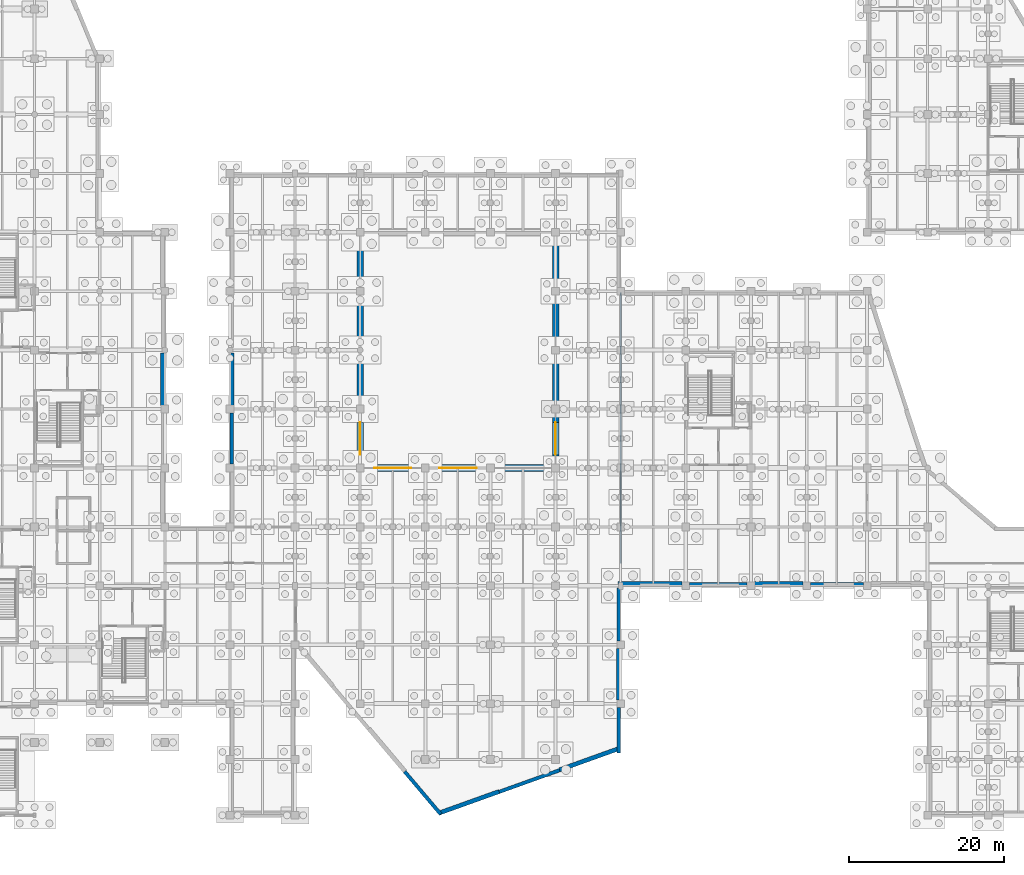
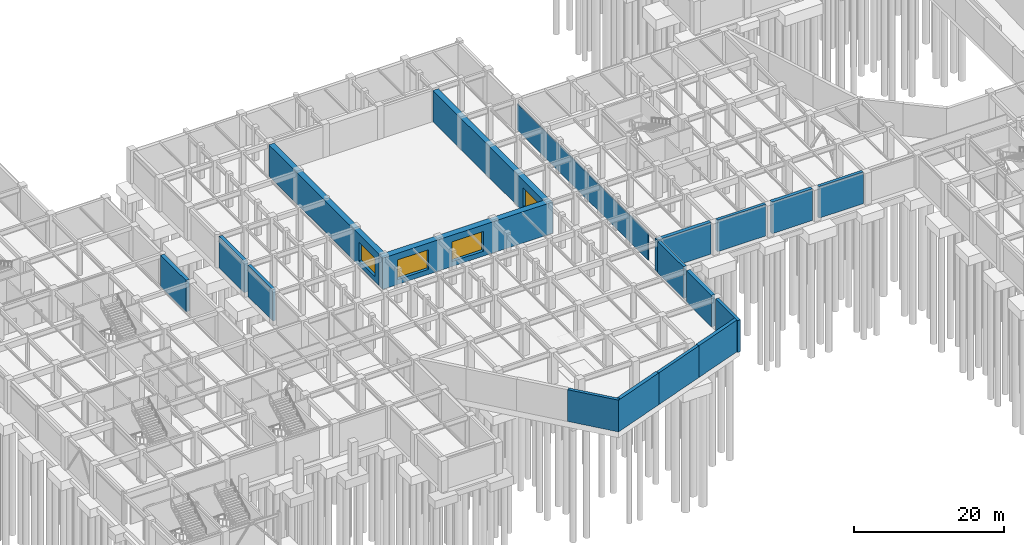
# One storey, part 41 of 52: 18 walls, 4 windows, 4 openings.
"""IFC4 building model written with IfcOpenShell, lengths in metres."""

from ifc_helpers import new_model, si_unit, direction, frame, frame_2d, origin, place, context, subcontext, project, spatial, rectangle, extrude, material, layer, layer_set, type_object, element, fill, save


model = new_model("IFC4")

# Units and contexts
model_context = context("Model", 3, precision=1e-05, world=origin(), true_north=direction((0.0, 1.0)))
body_context = subcontext(model_context, "Body", "Model", "MODEL_VIEW")
ifc_project = project(units=[si_unit("LENGTHUNIT", "METRE"), si_unit("AREAUNIT", "SQUARE_METRE"), si_unit("VOLUMEUNIT", "CUBIC_METRE"), si_unit("PLANEANGLEUNIT", "RADIAN"), si_unit("MASSUNIT", "GRAM", prefix="KILO")], contexts=[model_context])

# Site, building, storey
site_placement = place(None, origin())
site = spatial("IfcSite", under=ifc_project, at=site_placement, CompositionType="ELEMENT")
building_placement = place(site_placement, origin())
building = spatial("IfcBuilding", under=site, at=building_placement, Name="Xicomal Pleat Aquarium", CompositionType="ELEMENT")
storey_placement = place(building_placement, frame((0.0, 0.0, -5.39990234375)))
storey = spatial("IfcBuildingStorey", under=building, at=storey_placement, Name="B1", CompositionType="ELEMENT", Elevation=-5.39990234375)

# Walls
ifc_material_1 = material(Name="Water-resistant cement-board wet-lab partition", Category="gypsum")
ifc_layer_1 = layer(ifc_material_1, 0.14990234375)
ifc_layer_set_1 = layer_set([ifc_layer_1], Name="Water-resistant cement-board wet-lab partition")
wall_type_1 = type_object("IfcWallType", Name="WAL-PRT-150", PredefinedType="PARTITIONING", material=ifc_layer_set_1)
wall_1_placement = place(storey_placement, frame((94.199951171875, 68.199951171875, 0.0), z_axis=(0.0, 0.0, 1.0), x_axis=(0.0, -1.0, 0.0)))
element("IfcWall", 1, at=wall_1_placement, inside=storey, type_object=wall_type_1, Name="B1 interior partition PT-B1-011", PredefinedType="PARTITIONING", context=body_context, shape_type="SweptSolid", body=[
    extrude(rectangle(XDim=34.8798828125, YDim=0.14990234375, at=frame_2d((17.43994140625, 0.0))), origin(), (0.0, 0.0, 1.0), 4.2998046875),
])
ifc_material_2 = material(Name="Waterproof concrete C40/50", Category="concrete")
ifc_layer_2 = layer(ifc_material_2, 0.4599609375)
ifc_layer_set_2 = layer_set([ifc_layer_2], Name="Waterproof concrete C40/50")
wall_type_2 = type_object("IfcWallType", Name="WAL-RET-460", PredefinedType="USERDEFINED", material=ifc_layer_set_2)
wall_2_placement = place(storey_placement, frame((125.514892578125, 30.6298828125, 0.0), z_axis=(0.0, 0.0, 1.0), x_axis=(-1.0, 0.0, 0.0)))
element("IfcWall", 2, at=wall_2_placement, inside=storey, type_object=wall_type_2, Name="Basement waterproof retaining wall RW-B1-047", ObjectType="RETAINING WALL", PredefinedType="USERDEFINED", context=body_context, shape_type="SweptSolid", body=[
    extrude(rectangle(XDim=6.829833984375, YDim=0.4599609375, at=frame_2d((3.4150390625, 0.0))), origin(), (0.0, 0.0, 1.0), 5.139892578125),
])
wall_3_placement = place(storey_placement, frame((110.514892578125, 30.6298828125, 0.0), z_axis=(0.0, 0.0, 1.0), x_axis=(-1.0, 0.0, 0.0)))
element("IfcWall", 3, at=wall_3_placement, inside=storey, type_object=wall_type_2, Name="Basement waterproof retaining wall RW-B1-049", ObjectType="RETAINING WALL", PredefinedType="USERDEFINED", context=body_context, shape_type="SweptSolid", body=[
    extrude(rectangle(XDim=7.429931640625, YDim=0.4599609375, at=frame_2d((3.71484375, 0.0))), origin(), (0.0, 0.0, 1.0), 5.139892578125),
])
wall_4_placement = place(storey_placement, frame((93.969970703125, 30.114990234375, 0.0), z_axis=(0.0, 0.0, 1.0), x_axis=(0.0, -1.0, 0.0)))
element("IfcWall", 4, at=wall_4_placement, inside=storey, type_object=wall_type_2, Name="Basement waterproof retaining wall RW-B1-051", ObjectType="RETAINING WALL", PredefinedType="USERDEFINED", context=body_context, shape_type="SweptSolid", body=[
    extrude(rectangle(XDim=6.830078125, YDim=0.4599609375, at=frame_2d((3.4150390625, 0.0))), origin(), (0.0, 0.0, 1.0), 5.159912109375),
])
wall_5_placement = place(storey_placement, frame((93.969970703125, 14.715087890625, 0.0), z_axis=(0.0, 0.0, 1.0), x_axis=(0.0, -1.0, 0.0)))
element("IfcWall", 5, at=wall_5_placement, inside=storey, type_object=wall_type_2, Name="Basement waterproof retaining wall RW-B1-053", ObjectType="RETAINING WALL", PredefinedType="USERDEFINED", context=body_context, shape_type="SweptSolid", body=[
    extrude(rectangle(XDim=5.875, YDim=0.4599609375, at=frame_2d((2.9375, 0.0))), origin(), (0.0, 0.0, 1.0), 5.159912109375),
])
wall_6_placement = place(storey_placement, frame((86.322021484375, 6.615966796875, 0.0), z_axis=(0.0, 0.0, 1.0), x_axis=(-0.941193469738, -0.337868099297, 0.0)))
element("IfcWall", 6, at=wall_6_placement, inside=storey, type_object=wall_type_2, Name="Basement waterproof retaining wall RW-B1-055", ObjectType="RETAINING WALL", PredefinedType="USERDEFINED", context=body_context, shape_type="SweptSolid", body=[
    extrude(rectangle(XDim=8.287353515625, YDim=0.4599609375, at=frame_2d((4.1435546875, 0.0))), origin(), (0.0, 0.0, 1.0), 5.159912109375),
])
wall_7_placement = place(storey_placement, frame((70.97607421875, 0.947998046875, 0.0), z_axis=(0.0, 0.0, 1.0), x_axis=(-0.645642843129, 0.76363952171, 0.0)))
element("IfcWall", 7, at=wall_7_placement, inside=storey, type_object=wall_type_2, Name="Basement waterproof retaining wall RW-B1-057", ObjectType="RETAINING WALL", PredefinedType="USERDEFINED", context=body_context, shape_type="SweptSolid", body=[
    extrude(rectangle(XDim=7.202392578125, YDim=0.4599609375, at=frame_2d((3.60107421875, 0.0))), origin(), (0.0, 0.0, 1.0), 5.159912109375),
])
wall_8_placement = place(storey_placement, frame((44.030029296875, 46.0849609375, 0.0), z_axis=(0.0, 0.0, 1.0), x_axis=(0.0, 1.0, 0.0)))
element("IfcWall", 8, at=wall_8_placement, inside=storey, type_object=wall_type_2, Name="Basement waterproof retaining wall RW-B1-105", ObjectType="RETAINING WALL", PredefinedType="USERDEFINED", context=body_context, shape_type="SweptSolid", body=[
    extrude(rectangle(XDim=6.630126953125, YDim=0.4599609375, at=frame_2d((3.31494140625, 0.0))), origin(), (0.0, 0.0, 1.0), 5.074951171875),
])
ifc_material_3 = material(Name="Waterproof concrete C40/50", Category="concrete")
ifc_layer_3 = layer(ifc_material_3, 0.550048828125)
ifc_layer_set_3 = layer_set([ifc_layer_3], Name="Waterproof concrete C40/50")
wall_type_3 = type_object("IfcWallType", Name="WAL-RET-550", PredefinedType="USERDEFINED", material=ifc_layer_set_3)
wall_9_placement = place(storey_placement, frame((117.715087890625, 30.675048828125, 0.0), z_axis=(0.0, 0.0, 1.0), x_axis=(-1.0, 0.0, 0.0)))
element("IfcWall", 9, at=wall_9_placement, inside=storey, type_object=wall_type_3, Name="Basement waterproof retaining wall RW-B1-048", ObjectType="RETAINING WALL", PredefinedType="USERDEFINED", context=body_context, shape_type="SweptSolid", body=[
    extrude(rectangle(XDim=6.22998046875, YDim=0.550048828125, at=frame_2d((3.114990234375, 0.0))), origin(), (0.0, 0.0, 1.0), 5.139892578125),
])
wall_10_placement = place(storey_placement, frame((102.114990234375, 30.675048828125, 0.0), z_axis=(0.0, 0.0, 1.0), x_axis=(-1.0, 0.0, 0.0)))
element("IfcWall", 10, at=wall_10_placement, inside=storey, type_object=wall_type_3, Name="Basement waterproof retaining wall RW-B1-050", ObjectType="RETAINING WALL", PredefinedType="USERDEFINED", context=body_context, shape_type="SweptSolid", body=[
    extrude(rectangle(XDim=8.27490234375, YDim=0.550048828125, at=frame_2d((4.137451171875, 0.0))), origin(), (0.0, 0.0, 1.0), 5.139892578125),
])
wall_11_placement = place(storey_placement, frame((93.925048828125, 22.31494140625, 0.0), z_axis=(0.0, 0.0, 1.0), x_axis=(0.0, -1.0, 0.0)))
element("IfcWall", 11, at=wall_11_placement, inside=storey, type_object=wall_type_3, Name="Basement waterproof retaining wall RW-B1-052", ObjectType="RETAINING WALL", PredefinedType="USERDEFINED", context=body_context, shape_type="SweptSolid", body=[
    extrude(rectangle(XDim=6.6298828125, YDim=0.550048828125, at=frame_2d((3.31494140625, 0.0))), origin(), (0.0, 0.0, 1.0), 5.159912109375),
])
for number, where, z_axis, x_axis, name in (
    (12, (94.10693359375, 9.458984375, 0.0), (0.0, 0.0, 1.0), (-0.941193469738, -0.337868099297, 0.0), "Basement waterproof retaining wall RW-B1-054"),
    (13, (78.507080078125, 3.85888671875, 0.0), (0.0, 0.0, 1.0), (-0.941202837488, -0.337842002576, 0.0), "Basement waterproof retaining wall RW-B1-056"),
):
    element("IfcWall", number, at=place(storey_placement, frame(where, z_axis=z_axis, x_axis=x_axis)), inside=storey, type_object=wall_type_3, Name=name, ObjectType="RETAINING WALL", PredefinedType="USERDEFINED", context=body_context, shape_type="SweptSolid", body=[
        extrude(rectangle(XDim=8.287353515625, YDim=0.550048828125, at=frame_2d((4.1435546875, 0.0))), origin(), (0.0, 0.0, 1.0), 5.159912109375),
    ])
wall_12_placement = place(storey_placement, frame((35.125, 60.43994140625, 0.0), z_axis=(0.0, 0.0, 1.0), x_axis=(0.0, -1.0, 0.0)))
element("IfcWall", 14, at=wall_12_placement, inside=storey, type_object=wall_type_3, Name="Basement waterproof retaining wall RW-B1-100", ObjectType="RETAINING WALL", PredefinedType="USERDEFINED", context=body_context, shape_type="SweptSolid", body=[
    extrude(rectangle(XDim=6.7548828125, YDim=0.550048828125, at=frame_2d((3.37744140625, 0.0))), origin(), (0.0, 0.0, 1.0), 5.139892578125),
])
wall_13_placement = place(storey_placement, frame((44.074951171875, 53.68505859375, 0.0), z_axis=(0.0, 0.0, 1.0), x_axis=(0.0, 1.0, 0.0)))
element("IfcWall", 15, at=wall_13_placement, inside=storey, type_object=wall_type_3, Name="Basement waterproof retaining wall RW-B1-106", ObjectType="RETAINING WALL", PredefinedType="USERDEFINED", context=body_context, shape_type="SweptSolid", body=[
    extrude(rectangle(XDim=6.7548828125, YDim=0.550048828125, at=frame_2d((3.37744140625, 0.0))), origin(), (0.0, 0.0, 1.0), 5.074951171875),
])

# Wall, opening, window
ifc_material_4 = material(Name="Concrete C45/55", Category="concrete")
ifc_layer_4 = layer(ifc_material_4, 0.85009765625)
ifc_layer_set_4 = layer_set([ifc_layer_4], Name="Concrete C45/55")
wall_type_4 = type_object("IfcWallType", Name="WAL-TANK-850", PredefinedType="SHEAR", material=ifc_layer_set_4)
wall_14_placement = place(storey_placement, frame((60.60009765625, 46.094970703125, 0.0), z_axis=(0.0, 0.0, 1.0), x_axis=(0.0, 1.0, 0.0)))
wall_14 = element("IfcWall", 16, at=wall_14_placement, inside=storey, type_object=wall_type_4, Name="Main ocean tank hydrostatic wall TW-B1-W", PredefinedType="SHEAR", context=body_context, shape_type="SweptSolid", body=[
    extrude(rectangle(XDim=29.409912109375, YDim=0.85009765625, at=frame_2d((14.705078125, 0.0))), origin(), (0.0, 0.0, 1.0), 5.074951171875),
])
opening_1_placement = place(wall_14_placement, frame((1.199951171875, 0.0, 0.800048828125)))
opening_1 = element("IfcOpeningElement", 17, at=opening_1_placement, cuts=wall_14, Name="Opening AW-04", PredefinedType="OPENING", context=body_context, shape_type="SweptSolid", body=[
    extrude(rectangle(XDim=4.199951171875, YDim=3.0, at=frame_2d((2.10009765625, 1.5))), frame((0.0, 0.43505859375, 0.0), z_axis=(0.0, -1.0, 0.0), x_axis=(1.0, 0.0, 0.0)), (0.0, 0.0, 1.0), 0.8701171875),
])
ifc_material_5 = material(Name="Cast PMMA acrylic viewing glazing", Category="glass")
window_type_1 = type_object("IfcWindowType", Name="WIN-PMMA-4200x3000", PartitioningType="SINGLE_PANEL", PredefinedType="WINDOW", material=ifc_material_5)
window_1_placement = place(opening_1_placement, origin())
window_1 = element("IfcWindow", 18, at=window_1_placement, inside=storey, type_object=window_type_1, Name="B1 cast PMMA acrylic ocean tank window AW-B1-W1", OverallHeight=3.0, OverallWidth=4.199951171875, PartitioningType="SINGLE_PANEL", PredefinedType="WINDOW", context=body_context, shape_type="SweptSolid", body=[
    extrude(rectangle(XDim=4.199951171875, YDim=3.0, at=frame_2d((2.10009765625, 1.5))), frame((0.0, 0.030029296875, 0.0), z_axis=(0.0, -1.0, 0.0), x_axis=(1.0, 0.0, 0.0)), (0.0, 0.0, 1.0), 0.06005859375),
])
fill(opening_1, window_1)

wall_15_placement = place(storey_placement, frame((85.800048828125, 46.094970703125, 0.0), z_axis=(0.0, 0.0, 1.0), x_axis=(0.0, 1.0, 0.0)))
wall_15 = element("IfcWall", 19, at=wall_15_placement, inside=storey, type_object=wall_type_4, Name="Main ocean tank hydrostatic wall TW-B1-E", PredefinedType="SHEAR", context=body_context, shape_type="SweptSolid", body=[
    extrude(rectangle(XDim=29.409912109375, YDim=0.85009765625, at=frame_2d((14.705078125, 0.0))), origin(), (0.0, 0.0, 1.0), 5.074951171875),
])
opening_2_placement = place(wall_15_placement, frame((1.199951171875, 0.0, 0.800048828125)))
opening_2 = element("IfcOpeningElement", 20, at=opening_2_placement, cuts=wall_15, Name="Opening AW-04", PredefinedType="OPENING", context=body_context, shape_type="SweptSolid", body=[
    extrude(rectangle(XDim=4.199951171875, YDim=3.0, at=frame_2d((2.10009765625, 1.5))), frame((0.0, 0.43505859375, 0.0), z_axis=(0.0, -1.0, 0.0), x_axis=(1.0, 0.0, 0.0)), (0.0, 0.0, 1.0), 0.8701171875),
])
window_2_placement = place(opening_2_placement, origin())
window_2 = element("IfcWindow", 21, at=window_2_placement, inside=storey, type_object=window_type_1, Name="B1 cast PMMA acrylic ocean tank window AW-B1-E1", OverallHeight=3.0, OverallWidth=4.199951171875, PartitioningType="SINGLE_PANEL", PredefinedType="WINDOW", context=body_context, shape_type="SweptSolid", body=[
    extrude(rectangle(XDim=4.199951171875, YDim=3.0, at=frame_2d((2.10009765625, 1.5))), frame((0.0, 0.030029296875, 0.0), z_axis=(0.0, -1.0, 0.0), x_axis=(1.0, 0.0, 0.0)), (0.0, 0.0, 1.0), 0.06005859375),
])
fill(opening_2, window_2)

# Wall, openings, windows
ifc_material_6 = material(Name="Concrete C45/55", Category="concrete")
ifc_layer_5 = layer(ifc_material_6, 0.949951171875)
ifc_layer_set_5 = layer_set([ifc_layer_5], Name="Concrete C45/55")
wall_type_5 = type_object("IfcWallType", Name="WAL-TANK-950", PredefinedType="SHEAR", material=ifc_layer_set_5)
wall_16_placement = place(storey_placement, frame((60.125, 45.60009765625, 0.0), z_axis=(0.0, 0.0, 1.0), x_axis=(1.0, 0.0, 0.0)))
wall_16 = element("IfcWall", 22, at=wall_16_placement, inside=storey, type_object=wall_type_5, Name="Main ocean tank hydrostatic wall TW-B1-S", PredefinedType="SHEAR", context=body_context, shape_type="SweptSolid", body=[
    extrude(rectangle(XDim=26.14990234375, YDim=0.949951171875, at=frame_2d((13.074951171875, 0.0))), origin(), (0.0, 0.0, 1.0), 5.074951171875),
])
opening_3_placement = place(wall_16_placement, frame((2.280029296875, 0.0, 0.800048828125)))
opening_3 = element("IfcOpeningElement", 23, at=opening_3_placement, cuts=wall_16, Name="Opening AW-03", PredefinedType="OPENING", context=body_context, shape_type="SweptSolid", body=[
    extrude(rectangle(XDim=4.800048828125, YDim=3.199951171875, at=frame_2d((2.39990234375, 1.60009765625))), frame((0.0, 0.48486328125, 0.0), z_axis=(0.0, -1.0, 0.0), x_axis=(1.0, 0.0, 0.0)), (0.0, 0.0, 1.0), 0.969970703125),
])
opening_4_placement = place(wall_16_placement, frame((10.679931640625, 0.0, 0.800048828125)))
opening_4 = element("IfcOpeningElement", 24, at=opening_4_placement, cuts=wall_16, Name="Opening AW-03", PredefinedType="OPENING", context=body_context, shape_type="SweptSolid", body=[
    extrude(rectangle(XDim=4.800048828125, YDim=3.199951171875, at=frame_2d((2.39990234375, 1.60009765625))), frame((0.0, 0.48486328125, 0.0), z_axis=(0.0, -1.0, 0.0), x_axis=(1.0, 0.0, 0.0)), (0.0, 0.0, 1.0), 0.969970703125),
])
ifc_material_7 = material(Name="Cast PMMA acrylic viewing glazing", Category="glass")
window_type_2 = type_object("IfcWindowType", Name="WIN-PMMA-4800x3200", PartitioningType="SINGLE_PANEL", PredefinedType="WINDOW", material=ifc_material_7)
window_3_placement = place(opening_3_placement, origin())
window_3 = element("IfcWindow", 25, at=window_3_placement, inside=storey, type_object=window_type_2, Name="B1 cast PMMA acrylic ocean tank window AW-B1-S1", OverallHeight=3.199951171875, OverallWidth=4.800048828125, PartitioningType="SINGLE_PANEL", PredefinedType="WINDOW", context=body_context, shape_type="SweptSolid", body=[
    extrude(rectangle(XDim=4.800048828125, YDim=3.199951171875, at=frame_2d((2.39990234375, 1.60009765625))), frame((0.0, 0.030029296875, 0.0), z_axis=(0.0, -1.0, 0.0), x_axis=(1.0, 0.0, 0.0)), (0.0, 0.0, 1.0), 0.06005859375),
])
fill(opening_3, window_3)
window_4_placement = place(opening_4_placement, origin())
window_4 = element("IfcWindow", 26, at=window_4_placement, inside=storey, type_object=window_type_2, Name="B1 cast PMMA acrylic ocean tank window AW-B1-S2", OverallHeight=3.199951171875, OverallWidth=4.800048828125, PartitioningType="SINGLE_PANEL", PredefinedType="WINDOW", context=body_context, shape_type="SweptSolid", body=[
    extrude(rectangle(XDim=4.800048828125, YDim=3.199951171875, at=frame_2d((2.39990234375, 1.60009765625))), frame((0.0, 0.030029296875, 0.0), z_axis=(0.0, -1.0, 0.0), x_axis=(1.0, 0.0, 0.0)), (0.0, 0.0, 1.0), 0.06005859375),
])
fill(opening_4, window_4)

save(model, "model.ifc")
